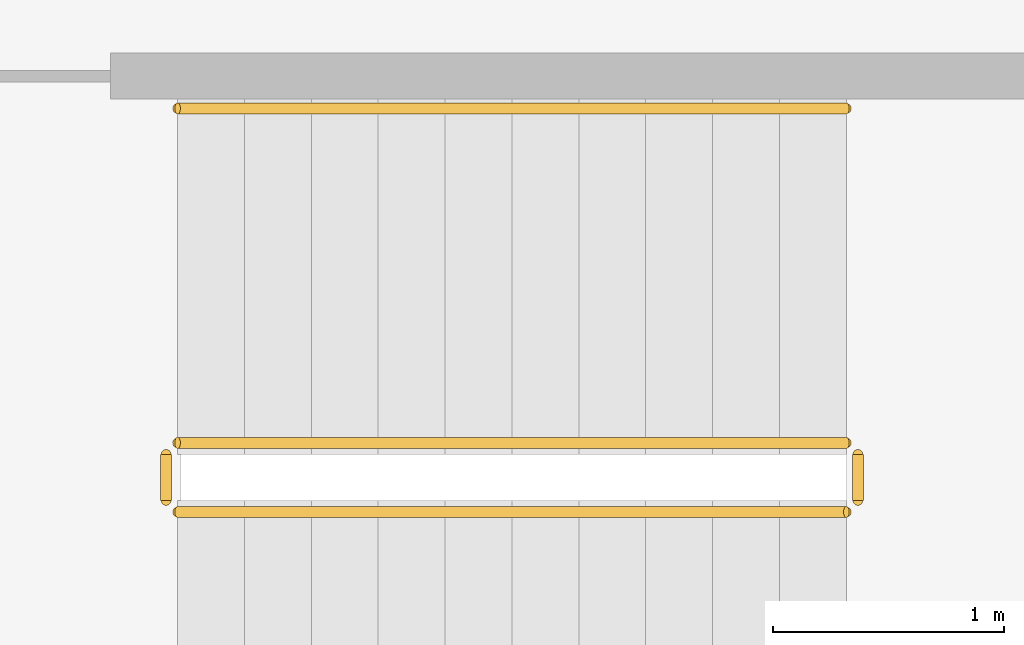
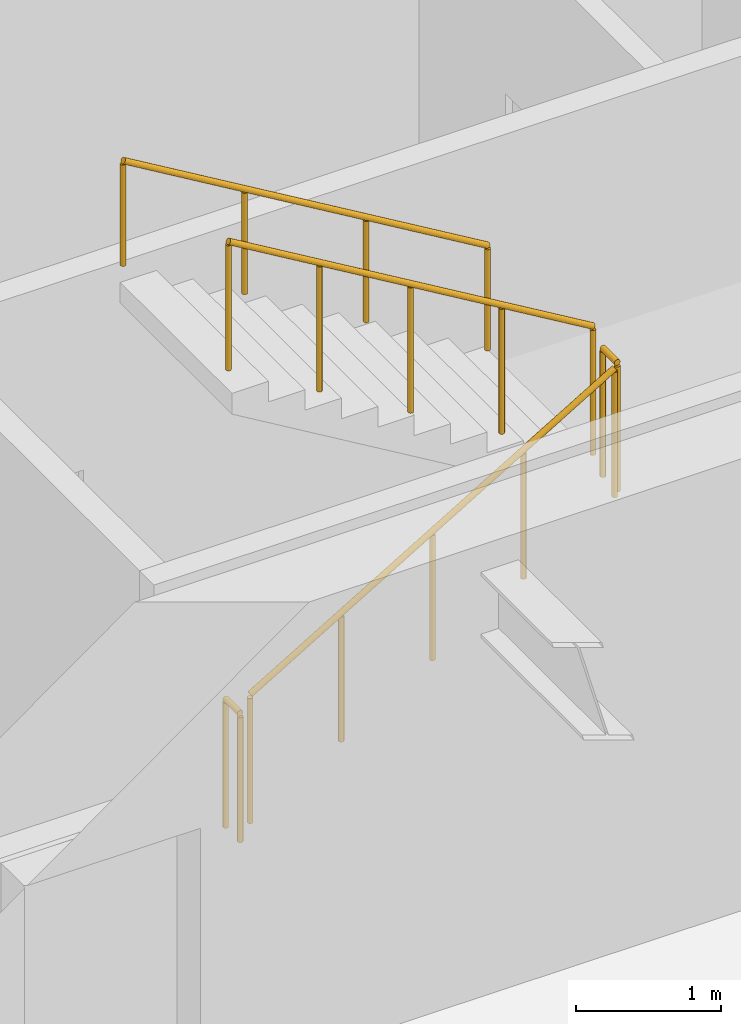
# One storey, part 21 of 22: 5 railings.
"""IFC4 building model written with IfcOpenShell, lengths in metres."""

from ifc_helpers import new_model, si_unit, direction, frame, origin, origin_2d, place, context, subcontext, project, spatial, circle, extrude, material, type_object, element, save


model = new_model("IFC4")

# Units and contexts
model_context = context("Model", 3, precision=1e-05, world=origin(), true_north=direction((0.0, 1.0)))
body_context = subcontext(model_context, "Body", "Model", "MODEL_VIEW")
ifc_project = project(units=[si_unit("LENGTHUNIT", "METRE"), si_unit("AREAUNIT", "SQUARE_METRE"), si_unit("VOLUMEUNIT", "CUBIC_METRE"), si_unit("PLANEANGLEUNIT", "RADIAN"), si_unit("MASSUNIT", "GRAM", prefix="KILO")], contexts=[model_context])

# Site, building, storey
site_placement = place(None, origin())
site = spatial("IfcSite", under=ifc_project, at=site_placement, CompositionType="ELEMENT")
building_placement = place(site_placement, origin())
building = spatial("IfcBuilding", under=site, at=building_placement, Name="Putna Gate Headquarters", CompositionType="ELEMENT")
storey_placement = place(building_placement, frame((0.0, 0.0, 189.800048828125)))
storey = spatial("IfcBuildingStorey", under=building, at=storey_placement, Name="L47", CompositionType="ELEMENT", Elevation=189.800048828125)

# Railings
ifc_material_1 = material(Name="Powder-coated steel stair guardrail", Category="steel")
railing_type_1 = type_object("IfcRailingType", Name="RAIL-STAIR-GUARD-1100", PredefinedType="GUARDRAIL", material=ifc_material_1)
railing_1_placement = place(storey_placement, frame((57.89990234375, 21.10009765625, 0.172607421875)))
element("IfcRailing", 1, at=railing_1_placement, inside=storey, type_object=railing_type_1, Name="L47 ST2 stair guard 1", PredefinedType="GUARDRAIL", context=body_context, shape_type="SweptSolid", body=[
    extrude(circle(Radius=0.02392578125, at=origin_2d()), frame((0.0, 0.0, 1.076171875), z_axis=(0.859160404282, 0.0, 0.51170636083), x_axis=(0.0, 1.0, 0.0)), (0.0, 0.0, 1.0), 3.37548828125),
    extrude(circle(Radius=0.02099609375, at=origin_2d()), origin(), (0.0, 0.0, 1.0), 1.052001953125),
    extrude(circle(Radius=0.02099609375, at=origin_2d()), frame((0.72509765625, 0.0, 0.431884765625)), (0.0, 0.0, 1.0), 1.052001953125),
    extrude(circle(Radius=0.02099609375, at=origin_2d()), frame((1.4501953125, 0.0, 0.86376953125)), (0.0, 0.0, 1.0), 1.052001953125),
    extrude(circle(Radius=0.02099609375, at=origin_2d()), frame((2.175048828125, 0.0, 1.29541015625)), (0.0, 0.0, 1.0), 1.052001953125),
    extrude(circle(Radius=0.02099609375, at=origin_2d()), frame((2.900146484375, 0.0, 1.727294921875)), (0.0, 0.0, 1.0), 1.052001953125),
])
railing_2_placement = place(storey_placement, frame((60.85009765625, 21.14990234375, 1.89990234375)))
element("IfcRailing", 2, at=railing_2_placement, inside=storey, type_object=railing_type_1, Name="L47 ST2 stair guard 2", PredefinedType="GUARDRAIL", context=body_context, shape_type="SweptSolid", body=[
    extrude(circle(Radius=0.02392578125, at=origin_2d()), frame((0.0, 0.0, 1.076171875), z_axis=(0.0, 1.0, 0.0), x_axis=(-1.0, 0.0, 0.0)), (0.0, 0.0, 1.0), 0.2001953125),
    extrude(circle(Radius=0.02099609375, at=origin_2d()), origin(), (0.0, 0.0, 1.0), 1.052001953125),
    extrude(circle(Radius=0.02099609375, at=origin_2d()), frame((0.0, 0.2001953125, 0.0)), (0.0, 0.0, 1.0), 1.052001953125),
])
railing_3_placement = place(storey_placement, frame((60.800048828125, 21.39990234375, 2.07275390625)))
element("IfcRailing", 3, at=railing_3_placement, inside=storey, type_object=railing_type_1, Name="L47 ST2 stair guard 3", PredefinedType="GUARDRAIL", context=body_context, shape_type="SweptSolid", body=[
    extrude(circle(Radius=0.02392578125, at=origin_2d()), frame((0.0, 0.0, 1.076171875), z_axis=(-0.859160404282, 0.0, 0.51170636083), x_axis=(0.0, -1.0, 0.0)), (0.0, 0.0, 1.0), 3.37548828125),
    extrude(circle(Radius=0.02099609375, at=origin_2d()), origin(), (0.0, 0.0, 1.0), 1.052001953125),
    extrude(circle(Radius=0.02099609375, at=origin_2d()), frame((-0.72509765625, 0.0, 0.431884765625)), (0.0, 0.0, 1.0), 1.052001953125),
    extrude(circle(Radius=0.02099609375, at=origin_2d()), frame((-1.4501953125, 0.0, 0.86376953125)), (0.0, 0.0, 1.0), 1.052001953125),
    extrude(circle(Radius=0.02099609375, at=origin_2d()), frame((-2.175048828125, 0.0, 1.29541015625)), (0.0, 0.0, 1.0), 1.052001953125),
    extrude(circle(Radius=0.02099609375, at=origin_2d()), frame((-2.900146484375, 0.0, 1.727294921875)), (0.0, 0.0, 1.0), 1.052001953125),
])
railing_4_placement = place(storey_placement, frame((57.85009765625, 21.14990234375, 0.0)))
element("IfcRailing", 4, at=railing_4_placement, inside=storey, type_object=railing_type_1, Name="L47 ST2 stair guard 4", PredefinedType="GUARDRAIL", context=body_context, shape_type="SweptSolid", body=[
    extrude(circle(Radius=0.02392578125, at=origin_2d()), frame((0.0, 0.0, 1.076171875), z_axis=(0.0, 1.0, 0.0), x_axis=(-1.0, 0.0, 0.0)), (0.0, 0.0, 1.0), 0.2001953125),
    extrude(circle(Radius=0.02099609375, at=origin_2d()), origin(), (0.0, 0.0, 1.0), 1.052001953125),
    extrude(circle(Radius=0.02099609375, at=origin_2d()), frame((0.0, 0.2001953125, 0.0)), (0.0, 0.0, 1.0), 1.052001953125),
])
ifc_material_2 = material(Name="Brushed stainless steel handrail", Category="steel")
railing_type_2 = type_object("IfcRailingType", Name="RAIL-STAIR-HAND-900", PredefinedType="HANDRAIL", material=ifc_material_2)
railing_5_placement = place(storey_placement, frame((60.800048828125, 22.85009765625, 2.07275390625)))
element("IfcRailing", 5, at=railing_5_placement, inside=storey, type_object=railing_type_2, Name="L47 ST2 stair handrail 2", PredefinedType="HANDRAIL", context=body_context, shape_type="SweptSolid", body=[
    extrude(circle(Radius=0.02392578125, at=origin_2d()), frame((0.0, 0.0, 0.8759765625), z_axis=(-0.859160404282, 0.0, 0.51170636083), x_axis=(0.0, -1.0, 0.0)), (0.0, 0.0, 1.0), 3.37548828125),
    extrude(circle(Radius=0.02099609375, at=origin_2d()), origin(), (0.0, 0.0, 1.0), 0.851806640625),
    extrude(circle(Radius=0.02099609375, at=origin_2d()), frame((-0.966796875, 0.0, 0.57568359375)), (0.0, 0.0, 1.0), 0.851806640625),
    extrude(circle(Radius=0.02099609375, at=origin_2d()), frame((-1.933349609375, 0.0, 1.151611328125)), (0.0, 0.0, 1.0), 0.851806640625),
    extrude(circle(Radius=0.02099609375, at=origin_2d()), frame((-2.900146484375, 0.0, 1.727294921875)), (0.0, 0.0, 1.0), 0.851806640625),
])

save(model, "model.ifc")
